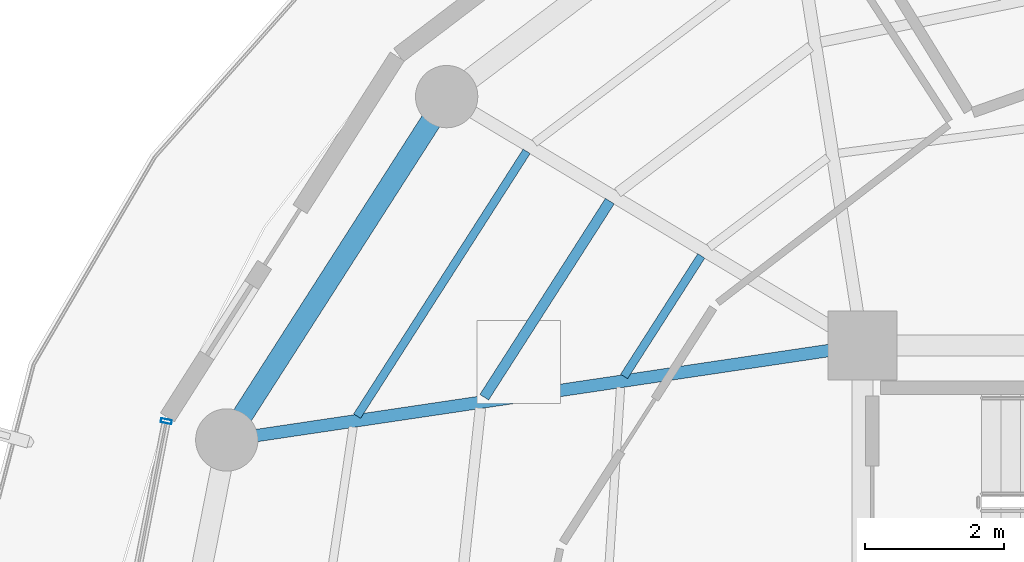
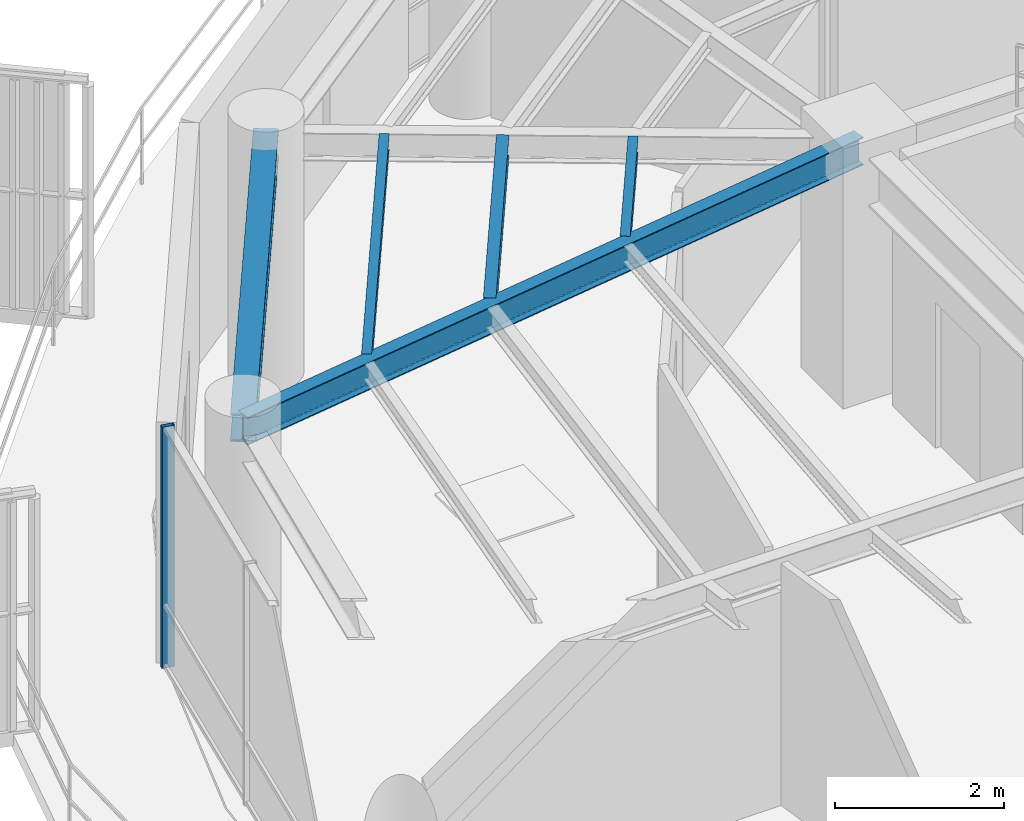
# One storey, part 7 of 22: 5 beams, 1 member, 1 element without a shape of its own.
"""IFC4 building model written with IfcOpenShell, lengths in metres."""

import ifcopenshell
import ifcopenshell.guid

model = None  # the IFC model being written
_history = None  # IfcOwnerHistory: only IFC2X3 demands one
_inside = {}  # id of a spatial element -> (the spatial element, [elements in it])
_under = {}  # id of a project, library or spatial element -> (it, [spatial elements below it])
_declared = {}  # id of a project -> (the project, [libraries it declares])
_typed = {}  # id of a type object -> (the type object, [elements of that type])
_made_of = {}  # id of a material, layer set ... -> (it, [elements and type objects made of it])


def new_model(schema):
    """Start an empty IFC model of exactly this schema.

    Asked for "IFC4X3", IfcOpenShell would pick the latest addendum, in which some entities
    have other attributes; the version numbers below select the first issue.
    IFC2X3 requires an IfcOwnerHistory on every rooted entity: one is made here for all.
    """
    global model, _history
    if schema == "IFC4X3":
        model = ifcopenshell.file(schema_version=(4, 3, 0, 0))
    else:
        model = ifcopenshell.file(schema=schema)
    _inside.clear()
    _under.clear()
    _declared.clear()
    _typed.clear()
    _made_of.clear()
    _history = None
    if model.schema == "IFC2X3":
        org = make("IfcOrganization", Name="unknown")
        user = make(
            "IfcPersonAndOrganization",
            ThePerson=make("IfcPerson", FamilyName="unknown"),
            TheOrganization=org,
        )
        app = make(
            "IfcApplication",
            ApplicationDeveloper=org,
            Version="unknown",
            ApplicationFullName="unknown",
            ApplicationIdentifier="unknown",
        )
        _history = make(
            "IfcOwnerHistory",
            OwningUser=user,
            OwningApplication=app,
            ChangeAction="ADDED",
            CreationDate=0,
        )
    return model


def make(cls, **values):
    """One entity of the class cls with the attributes given. An attribute that is None is left unset."""
    return model.create_entity(
        cls, **{name: value for name, value in values.items() if value is not None}
    )


def rooted(cls, **values):
    """An entity with a GlobalId (a new one), such as an element, a storey or a relation."""
    return make(cls, GlobalId=ifcopenshell.guid.new(), OwnerHistory=_history, **values)


def si_unit(unit_type, name, prefix=None):
    """IfcSIUnit, for example si_unit("LENGTHUNIT", "METRE", prefix="MILLI")."""
    return make("IfcSIUnit", UnitType=unit_type, Prefix=prefix, Name=name)


def assignment(units):
    """IfcUnitAssignment: the units of a project."""
    return None if units is None else make("IfcUnitAssignment", Units=units)


def point(xyz):
    """IfcCartesianPoint."""
    return None if xyz is None else make("IfcCartesianPoint", Coordinates=xyz)


def direction(xyz):
    """IfcDirection."""
    return None if xyz is None else make("IfcDirection", DirectionRatios=xyz)


def frame(location, z_axis=None, x_axis=None):
    """IfcAxis2Placement3D, a coordinate frame: its origin and axes. An axis left out is left unset."""
    return make(
        "IfcAxis2Placement3D",
        Location=point(location),
        Axis=direction(z_axis),
        RefDirection=direction(x_axis),
    )


def frame_2d(location, x_axis=None):
    """IfcAxis2Placement2D, a coordinate frame in the plane: its origin and x axis."""
    return make(
        "IfcAxis2Placement2D", Location=point(location), RefDirection=direction(x_axis)
    )


def origin():
    """The frame at (0, 0, 0) with its axes left unset."""
    return frame((0.0, 0.0, 0.0))


def origin_2d():
    """The frame at (0, 0) in the plane with its x axis left unset."""
    return frame_2d((0.0, 0.0))


def place(relative_to, where):
    """IfcLocalPlacement: puts the frame where relative to a parent placement (None: the world)."""
    return make(
        "IfcLocalPlacement", PlacementRelTo=relative_to, RelativePlacement=where
    )


def context(
    kind, dimensions, precision=None, world=None, true_north=None, identifier=None
):
    """IfcGeometricRepresentationContext, for example the 3D "Model" context."""
    return make(
        "IfcGeometricRepresentationContext",
        ContextIdentifier=identifier,
        ContextType=kind,
        CoordinateSpaceDimension=dimensions,
        Precision=precision,
        WorldCoordinateSystem=world,
        TrueNorth=true_north,
    )


def subcontext(parent, identifier, kind, view, scale=None):
    """IfcGeometricRepresentationSubContext, for example "Body" below "Model"."""
    return make(
        "IfcGeometricRepresentationSubContext",
        ContextIdentifier=identifier,
        ContextType=kind,
        ParentContext=parent,
        TargetScale=scale,
        TargetView=view,
    )


def project(units=None, contexts=None):
    """IfcProject with its units and contexts."""
    return rooted(
        "IfcProject",
        Name="project",
        RepresentationContexts=contexts,
        UnitsInContext=assignment(units),
    )


def spatial(cls, under=None, at=None, **own):
    """A site, building, storey or space (cls), placed at a placement, below another one or the project."""
    s = rooted(cls, ObjectPlacement=at, **own)
    if under is not None:
        _under.setdefault(under.id(), (under, []))[1].append(s)
    return s


def profile(cls, at=None, kind="AREA", **sizes):
    """A parametric profile (cls). Its sizes go by their IFC names, for example OverallWidth=200.0."""
    return make(cls, ProfileType=kind, Position=at, **sizes)


def hollow_rectangle(**sizes):
    """IfcRectangleHollowProfileDef."""
    return profile("IfcRectangleHollowProfileDef", **sizes)


def i_section(**sizes):
    """IfcIShapeProfileDef."""
    return profile("IfcIShapeProfileDef", **sizes)


def extrude(swept, where, along, depth):
    """IfcExtrudedAreaSolid: the profile swept, set in the frame where, extruded along a direction by depth."""
    return make(
        "IfcExtrudedAreaSolid",
        SweptArea=swept,
        Position=where,
        ExtrudedDirection=direction(along),
        Depth=depth,
    )


def shape(context_of_items, identifier, shape_type, items):
    """IfcShapeRepresentation: the items that make up one representation, for example the "Body"."""
    return make(
        "IfcShapeRepresentation",
        ContextOfItems=context_of_items,
        RepresentationIdentifier=identifier,
        RepresentationType=shape_type,
        Items=items,
    )


def material(Name=None, Category=None):
    """IfcMaterial."""
    return make("IfcMaterial", Name=Name, Category=Category)


def layer(
    of_material, thickness, ventilated=None, Name=None, Category=None, Priority=None
):
    """IfcMaterialLayer: one layer of a wall or slab, of a material (None: an air gap)."""
    return make(
        "IfcMaterialLayer",
        Material=of_material,
        LayerThickness=thickness,
        IsVentilated=ventilated,
        Name=Name,
        Category=Category,
        Priority=Priority,
    )


def layer_set(layers, Name=None):
    """IfcMaterialLayerSet."""
    return make("IfcMaterialLayerSet", MaterialLayers=layers, LayerSetName=Name)


def material_profile(
    of_material, cross_section, Name=None, Category=None, Priority=None
):
    """IfcMaterialProfile: a cross section and its material."""
    return make(
        "IfcMaterialProfile",
        Name=Name,
        Material=of_material,
        Profile=cross_section,
        Priority=Priority,
        Category=Category,
    )


def profile_set(profiles, Name=None, composite=None):
    """IfcMaterialProfileSet."""
    return make(
        "IfcMaterialProfileSet",
        Name=Name,
        MaterialProfiles=profiles,
        CompositeProfile=composite,
    )


def made_of(thing, what):
    """Note that an element or type object is made of a material, layer set ...; save() writes the relation."""
    if what is not None:
        _made_of.setdefault(what.id(), (what, []))[1].append(thing)
    return thing


def type_object(cls, material=None, **own):
    """A type object (cls), such as IfcWallType, which elements share."""
    return made_of(rooted(cls, **own), material)


def element(
    cls,
    number,
    at=None,
    inside=None,
    cuts=None,
    type_object=None,
    material=None,
    context=None,
    identifier="Body",
    shape_type=None,
    held_by="IfcProductDefinitionShape",
    body=None,
    shapes=None,
    **own,
):
    """One element of the class cls, such as IfcWall. Its Tag is "e" and its number.

    at: its placement. inside: the storey or other place that contains it. cuts: it is an
    opening in that element (IfcRelVoidsElement). A single representation is given by context,
    identifier, shape_type and body (its items); several are given by shapes. held_by: the class
    of the entity that holds the representations. save() writes the other relations.
    """
    e = rooted(cls, Tag="e%d" % number, ObjectPlacement=at, **own)
    if body is not None:
        shapes = [shape(context, identifier, shape_type, body)]
    if shapes is not None:
        e.Representation = make(held_by, Representations=shapes)
    if inside is not None:
        _inside.setdefault(inside.id(), (inside, []))[1].append(e)
    if cuts is not None:
        rooted(
            "IfcRelVoidsElement", RelatingBuildingElement=cuts, RelatedOpeningElement=e
        )
    if type_object is not None:
        _typed.setdefault(type_object.id(), (type_object, []))[1].append(e)
    return made_of(e, material)


def aggregate(whole, parts):
    """IfcRelAggregates: a whole, such as a stair, and the parts it consists of."""
    return rooted("IfcRelAggregates", RelatingObject=whole, RelatedObjects=parts)


def save(model, path):
    """Write the relations noted so far, then the file.

    IfcRelAggregates (storeys below a building ...), IfcRelContainedInSpatialStructure (elements
    in a storey), IfcRelDefinesByType, IfcRelAssociatesMaterial and IfcRelDeclares: one each for
    every whole, place, type object, material and project.
    """
    for whole, parts in _under.values():
        aggregate(whole, parts)
    for where, things in _inside.values():
        rooted(
            "IfcRelContainedInSpatialStructure",
            RelatedElements=things,
            RelatingStructure=where,
        )
    for kind, things in _typed.values():
        rooted("IfcRelDefinesByType", RelatedObjects=things, RelatingType=kind)
    for what, things in _made_of.values():
        rooted("IfcRelAssociatesMaterial", RelatedObjects=things, RelatingMaterial=what)
    for by, libraries in _declared.values():
        rooted("IfcRelDeclares", RelatingContext=by, RelatedDefinitions=libraries)
    model.write(path)


model = new_model("IFC4")

# Units and contexts
model_context = context("Model", 3, precision=1e-05, world=origin(), true_north=direction((0.0, 1.0)))
body_context = subcontext(model_context, "Body", "Model", "MODEL_VIEW")
ifc_project = project(units=[si_unit("LENGTHUNIT", "METRE"), si_unit("AREAUNIT", "SQUARE_METRE"), si_unit("VOLUMEUNIT", "CUBIC_METRE"), si_unit("PLANEANGLEUNIT", "RADIAN"), si_unit("MASSUNIT", "GRAM", prefix="KILO")], contexts=[model_context])

# Site, building, storey
site_placement = place(None, origin())
site = spatial("IfcSite", under=ifc_project, at=site_placement, CompositionType="ELEMENT")
building_placement = place(site_placement, origin())
building = spatial("IfcBuilding", under=site, at=building_placement, Name="Kelanora Arch Commons", CompositionType="ELEMENT")
storey_placement = place(building_placement, frame((0.0, 0.0, 263.699951171875)))
storey = spatial("IfcBuildingStorey", under=building, at=storey_placement, Name="L67", CompositionType="ELEMENT", Elevation=263.699951171875)

# Beams
ifc_material_1 = material(Name="Steel S355", Category="steel")
ifc_material_profile_1 = material_profile(ifc_material_1, i_section(OverallWidth=0.14990234375, OverallDepth=0.300048828125, WebThickness=0.007080078125, FlangeThickness=0.0107421875, FilletRadius=0.014892578125, at=origin_2d()), Name="IPE300")
ifc_profile_set_1 = profile_set([ifc_material_profile_1], Name="Steel S355")
beam_type_1 = type_object("IfcBeamType", Name="BM-JST-01", PredefinedType="JOIST", material=ifc_profile_set_1)
beam_1_placement = place(storey_placement, frame((62.352294921875, 67.084228515625, 3.340087890625), z_axis=(-0.539321586177, -0.842099891155, 0.0), x_axis=(0.842099891155, -0.539321586177, 0.0)))
element("IfcBeam", 1, at=beam_1_placement, inside=storey, type_object=beam_type_1, Name="Secondary Chord Joist BJB-14 L67", PredefinedType="JOIST", context=body_context, shape_type="SweptSolid", body=[
    extrude(i_section(OverallWidth=0.14990234375, OverallDepth=0.300048828125, WebThickness=0.007080078125, FlangeThickness=0.0107421875, FilletRadius=0.014892578125, at=origin_2d()), origin(), (0.0, 0.0, 1.0), 3.361572265625),
])
ifc_material_profile_2 = material_profile(ifc_material_1, i_section(OverallWidth=0.1201171875, OverallDepth=0.239990234375, WebThickness=0.006103515625, FlangeThickness=0.009765625, FilletRadius=0.014892578125, at=origin_2d()), Name="IPE240")
ifc_profile_set_2 = profile_set([ifc_material_profile_2], Name="Steel S355")
beam_type_2 = type_object("IfcBeamType", Name="BM-JST-02", PredefinedType="JOIST", material=ifc_profile_set_2)
beam_2_placement = place(storey_placement, frame((63.6728515625, 66.293701171875, 3.3701171875), z_axis=(-0.539311810315, -0.842106152011, 0.0), x_axis=(0.842106152011, -0.539311810315, 0.0)))
element("IfcBeam", 2, at=beam_2_placement, inside=storey, type_object=beam_type_2, Name="Secondary Chord Joist BJA-14 L67", PredefinedType="JOIST", context=body_context, shape_type="SweptSolid", body=[
    extrude(i_section(OverallWidth=0.1201171875, OverallDepth=0.239990234375, WebThickness=0.006103515625, FlangeThickness=0.009765625, FilletRadius=0.014892578125, at=origin_2d()), origin(), (0.0, 0.0, 1.0), 2.06640625),
])
beam_3_placement = place(storey_placement, frame((61.151611328125, 67.802978515625, 3.3701171875), z_axis=(-0.539288735289, -0.842120929552, 0.0), x_axis=(0.842120929552, -0.539288735289, 0.0)))
element("IfcBeam", 3, at=beam_3_placement, inside=storey, type_object=beam_type_2, Name="Secondary Chord Joist BJC-14 L67", PredefinedType="JOIST", context=body_context, shape_type="SweptSolid", body=[
    extrude(i_section(OverallWidth=0.1201171875, OverallDepth=0.239990234375, WebThickness=0.006103515625, FlangeThickness=0.009765625, FilletRadius=0.014892578125, at=origin_2d()), origin(), (0.0, 0.0, 1.0), 4.538818359375),
])
ifc_material_profile_3 = material_profile(ifc_material_1, i_section(OverallWidth=0.179931640625, OverallDepth=0.39990234375, WebThickness=0.008544921875, FlangeThickness=0.013427734375, FilletRadius=0.02099609375, at=origin_2d()), Name="IPE400")
ifc_profile_set_3 = profile_set([ifc_material_profile_3], Name="Steel S355")
beam_type_3 = type_object("IfcBeamType", Name="BM-RAD-Z5", PredefinedType="BEAM", material=ifc_profile_set_3)
beam_4_placement = place(storey_placement, frame((66.0, 65.0, 3.2900390625), z_axis=(-0.989142485564, -0.146959665395, 0.0), x_axis=(0.146959665395, -0.989142485564, 0.0)))
element("IfcBeam", 4, at=beam_4_placement, inside=storey, type_object=beam_type_3, Name="Radial Floor Girder BR-16 L67", PredefinedType="BEAM", context=body_context, shape_type="SweptSolid", body=[
    extrude(i_section(OverallWidth=0.179931640625, OverallDepth=0.39990234375, WebThickness=0.008544921875, FlangeThickness=0.013427734375, FilletRadius=0.02099609375, at=origin_2d()), origin(), (0.0, 0.0, 1.0), 9.2783203125),
])
ifc_material_profile_4 = material_profile(ifc_material_1, i_section(OverallWidth=0.300048828125, OverallDepth=0.39990234375, WebThickness=0.013427734375, FlangeThickness=0.02392578125, FilletRadius=0.027099609375, at=origin_2d()), Name="HEB400")
ifc_profile_set_4 = profile_set([ifc_material_profile_4], Name="Steel S355")
beam_type_4 = type_object("IfcBeamType", Name="BM-SPN-Z4", PredefinedType="SPANDREL", material=ifc_profile_set_4)
beam_5_placement = place(storey_placement, frame((59.99658203125, 68.593017578125, 3.2900390625), z_axis=(-0.539280851353, -0.842125978322, 0.0), x_axis=(0.842125978322, -0.539280851353, 0.0)))
element("IfcBeam", 5, at=beam_5_placement, inside=storey, type_object=beam_type_4, Name="Perimeter Spandrel Beam BS-14 L67", PredefinedType="SPANDREL", context=body_context, shape_type="SweptSolid", body=[
    extrude(i_section(OverallWidth=0.300048828125, OverallDepth=0.39990234375, WebThickness=0.013427734375, FlangeThickness=0.02392578125, FilletRadius=0.027099609375, at=origin_2d()), origin(), (0.0, 0.0, 1.0), 5.8857421875),
])

# Curtain wall, member
ifc_material_2 = material(Name="Terracotta ceramic-fritted low-E glass and aluminium", Category="masonry")
ifc_layer = layer(ifc_material_2, 0.18994140625)
ifc_layer_set = layer_set([ifc_layer], Name="Terracotta ceramic-fritted low-E glass and aluminium")
curtain_wall_type = type_object("IfcCurtainWallType", Name="CW-SYS-03", PredefinedType="NOTDEFINED", material=ifc_layer_set)
curtain_wall_placement = place(storey_placement, origin())
curtain_wall = element("IfcCurtainWall", 6, at=curtain_wall_placement, inside=storey, type_object=curtain_wall_type, Name="Unitised Curtain Wall L67-B08", PredefinedType="NOTDEFINED")
ifc_material_3 = material(Name="Powder-coated aluminium terracotta", Category="masonry")
ifc_material_profile_5 = material_profile(ifc_material_3, hollow_rectangle(XDim=0.159912109375, YDim=0.06005859375, WallThickness=0.0048828125, InnerFilletRadius=0.0048828125, OuterFilletRadius=0.010009765625, at=origin_2d()), Name="CWM160x60")
ifc_profile_set_5 = profile_set([ifc_material_profile_5], Name="Powder-coated aluminium terracotta")
member_type = type_object("IfcMemberType", Name="CWM-STD", PredefinedType="MULLION", material=ifc_profile_set_5)
member_placement = place(storey_placement, frame((55.94921875, 63.906982421875, 0.0), z_axis=(0.0, 0.0, 1.0), x_axis=(0.981595542501, -0.190971701941, 0.0)))
member = element("IfcMember", 7, at=member_placement, type_object=member_type, Name="CW-03 mullion 1", PredefinedType="MULLION", context=body_context, shape_type="SweptSolid", body=[
    extrude(hollow_rectangle(XDim=0.159912109375, YDim=0.06005859375, WallThickness=0.0048828125, InnerFilletRadius=0.0048828125, OuterFilletRadius=0.010009765625, at=origin_2d()), origin(), (0.0, 0.0, 1.0), 3.47509765625),
])
aggregate(curtain_wall, [member])

save(model, "model.ifc")
